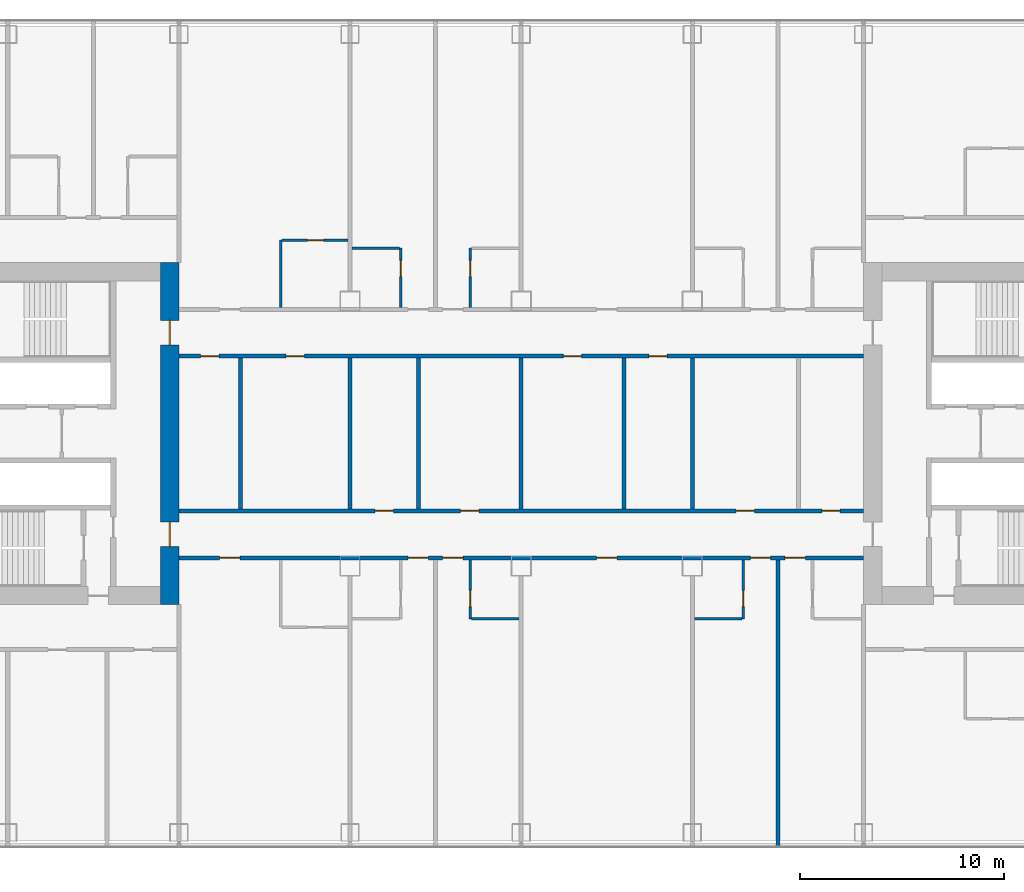
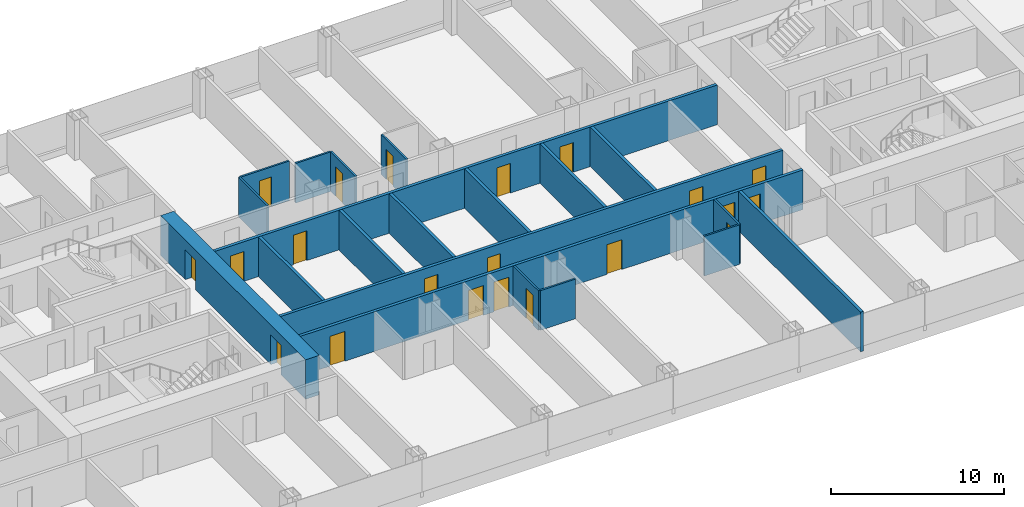
# One storey, part 15 of 28: 21 doors, 20 walls, 21 openings.
"""IFC4 building model written with IfcOpenShell, lengths in metres."""

import ifcopenshell
import ifcopenshell.guid

model = None  # the IFC model being written
_history = None  # IfcOwnerHistory: only IFC2X3 demands one
_inside = {}  # id of a spatial element -> (the spatial element, [elements in it])
_under = {}  # id of a project, library or spatial element -> (it, [spatial elements below it])
_declared = {}  # id of a project -> (the project, [libraries it declares])
_typed = {}  # id of a type object -> (the type object, [elements of that type])
_made_of = {}  # id of a material, layer set ... -> (it, [elements and type objects made of it])


def new_model(schema):
    """Start an empty IFC model of exactly this schema.

    Asked for "IFC4X3", IfcOpenShell would pick the latest addendum, in which some entities
    have other attributes; the version numbers below select the first issue.
    IFC2X3 requires an IfcOwnerHistory on every rooted entity: one is made here for all.
    """
    global model, _history
    if schema == "IFC4X3":
        model = ifcopenshell.file(schema_version=(4, 3, 0, 0))
    else:
        model = ifcopenshell.file(schema=schema)
    _inside.clear()
    _under.clear()
    _declared.clear()
    _typed.clear()
    _made_of.clear()
    _history = None
    if model.schema == "IFC2X3":
        org = make("IfcOrganization", Name="unknown")
        user = make(
            "IfcPersonAndOrganization",
            ThePerson=make("IfcPerson", FamilyName="unknown"),
            TheOrganization=org,
        )
        app = make(
            "IfcApplication",
            ApplicationDeveloper=org,
            Version="unknown",
            ApplicationFullName="unknown",
            ApplicationIdentifier="unknown",
        )
        _history = make(
            "IfcOwnerHistory",
            OwningUser=user,
            OwningApplication=app,
            ChangeAction="ADDED",
            CreationDate=0,
        )
    return model


def make(cls, **values):
    """One entity of the class cls with the attributes given. An attribute that is None is left unset."""
    return model.create_entity(
        cls, **{name: value for name, value in values.items() if value is not None}
    )


def rooted(cls, **values):
    """An entity with a GlobalId (a new one), such as an element, a storey or a relation."""
    return make(cls, GlobalId=ifcopenshell.guid.new(), OwnerHistory=_history, **values)


def si_unit(unit_type, name, prefix=None):
    """IfcSIUnit, for example si_unit("LENGTHUNIT", "METRE", prefix="MILLI")."""
    return make("IfcSIUnit", UnitType=unit_type, Prefix=prefix, Name=name)


def assignment(units):
    """IfcUnitAssignment: the units of a project."""
    return None if units is None else make("IfcUnitAssignment", Units=units)


def point(xyz):
    """IfcCartesianPoint."""
    return None if xyz is None else make("IfcCartesianPoint", Coordinates=xyz)


def direction(xyz):
    """IfcDirection."""
    return None if xyz is None else make("IfcDirection", DirectionRatios=xyz)


def frame(location, z_axis=None, x_axis=None):
    """IfcAxis2Placement3D, a coordinate frame: its origin and axes. An axis left out is left unset."""
    return make(
        "IfcAxis2Placement3D",
        Location=point(location),
        Axis=direction(z_axis),
        RefDirection=direction(x_axis),
    )


def frame_2d(location, x_axis=None):
    """IfcAxis2Placement2D, a coordinate frame in the plane: its origin and x axis."""
    return make(
        "IfcAxis2Placement2D", Location=point(location), RefDirection=direction(x_axis)
    )


def origin():
    """The frame at (0, 0, 0) with its axes left unset."""
    return frame((0.0, 0.0, 0.0))


def place(relative_to, where):
    """IfcLocalPlacement: puts the frame where relative to a parent placement (None: the world)."""
    return make(
        "IfcLocalPlacement", PlacementRelTo=relative_to, RelativePlacement=where
    )


def context(
    kind, dimensions, precision=None, world=None, true_north=None, identifier=None
):
    """IfcGeometricRepresentationContext, for example the 3D "Model" context."""
    return make(
        "IfcGeometricRepresentationContext",
        ContextIdentifier=identifier,
        ContextType=kind,
        CoordinateSpaceDimension=dimensions,
        Precision=precision,
        WorldCoordinateSystem=world,
        TrueNorth=true_north,
    )


def subcontext(parent, identifier, kind, view, scale=None):
    """IfcGeometricRepresentationSubContext, for example "Body" below "Model"."""
    return make(
        "IfcGeometricRepresentationSubContext",
        ContextIdentifier=identifier,
        ContextType=kind,
        ParentContext=parent,
        TargetScale=scale,
        TargetView=view,
    )


def project(units=None, contexts=None):
    """IfcProject with its units and contexts."""
    return rooted(
        "IfcProject",
        Name="project",
        RepresentationContexts=contexts,
        UnitsInContext=assignment(units),
    )


def spatial(cls, under=None, at=None, **own):
    """A site, building, storey or space (cls), placed at a placement, below another one or the project."""
    s = rooted(cls, ObjectPlacement=at, **own)
    if under is not None:
        _under.setdefault(under.id(), (under, []))[1].append(s)
    return s


def profile(cls, at=None, kind="AREA", **sizes):
    """A parametric profile (cls). Its sizes go by their IFC names, for example OverallWidth=200.0."""
    return make(cls, ProfileType=kind, Position=at, **sizes)


def rectangle(**sizes):
    """IfcRectangleProfileDef."""
    return profile("IfcRectangleProfileDef", **sizes)


def extrude(swept, where, along, depth):
    """IfcExtrudedAreaSolid: the profile swept, set in the frame where, extruded along a direction by depth."""
    return make(
        "IfcExtrudedAreaSolid",
        SweptArea=swept,
        Position=where,
        ExtrudedDirection=direction(along),
        Depth=depth,
    )


def shape(context_of_items, identifier, shape_type, items):
    """IfcShapeRepresentation: the items that make up one representation, for example the "Body"."""
    return make(
        "IfcShapeRepresentation",
        ContextOfItems=context_of_items,
        RepresentationIdentifier=identifier,
        RepresentationType=shape_type,
        Items=items,
    )


def material(Name=None, Category=None):
    """IfcMaterial."""
    return make("IfcMaterial", Name=Name, Category=Category)


def layer(
    of_material, thickness, ventilated=None, Name=None, Category=None, Priority=None
):
    """IfcMaterialLayer: one layer of a wall or slab, of a material (None: an air gap)."""
    return make(
        "IfcMaterialLayer",
        Material=of_material,
        LayerThickness=thickness,
        IsVentilated=ventilated,
        Name=Name,
        Category=Category,
        Priority=Priority,
    )


def layer_set(layers, Name=None):
    """IfcMaterialLayerSet."""
    return make("IfcMaterialLayerSet", MaterialLayers=layers, LayerSetName=Name)


def made_of(thing, what):
    """Note that an element or type object is made of a material, layer set ...; save() writes the relation."""
    if what is not None:
        _made_of.setdefault(what.id(), (what, []))[1].append(thing)
    return thing


def type_object(cls, material=None, **own):
    """A type object (cls), such as IfcWallType, which elements share."""
    return made_of(rooted(cls, **own), material)


def element(
    cls,
    number,
    at=None,
    inside=None,
    cuts=None,
    type_object=None,
    material=None,
    context=None,
    identifier="Body",
    shape_type=None,
    held_by="IfcProductDefinitionShape",
    body=None,
    shapes=None,
    **own,
):
    """One element of the class cls, such as IfcWall. Its Tag is "e" and its number.

    at: its placement. inside: the storey or other place that contains it. cuts: it is an
    opening in that element (IfcRelVoidsElement). A single representation is given by context,
    identifier, shape_type and body (its items); several are given by shapes. held_by: the class
    of the entity that holds the representations. save() writes the other relations.
    """
    e = rooted(cls, Tag="e%d" % number, ObjectPlacement=at, **own)
    if body is not None:
        shapes = [shape(context, identifier, shape_type, body)]
    if shapes is not None:
        e.Representation = make(held_by, Representations=shapes)
    if inside is not None:
        _inside.setdefault(inside.id(), (inside, []))[1].append(e)
    if cuts is not None:
        rooted(
            "IfcRelVoidsElement", RelatingBuildingElement=cuts, RelatedOpeningElement=e
        )
    if type_object is not None:
        _typed.setdefault(type_object.id(), (type_object, []))[1].append(e)
    return made_of(e, material)


def fill(opening, filler):
    """IfcRelFillsElement: the door or window that sits in an opening."""
    return rooted(
        "IfcRelFillsElement",
        RelatingOpeningElement=opening,
        RelatedBuildingElement=filler,
    )


def aggregate(whole, parts):
    """IfcRelAggregates: a whole, such as a stair, and the parts it consists of."""
    return rooted("IfcRelAggregates", RelatingObject=whole, RelatedObjects=parts)


def save(model, path):
    """Write the relations noted so far, then the file.

    IfcRelAggregates (storeys below a building ...), IfcRelContainedInSpatialStructure (elements
    in a storey), IfcRelDefinesByType, IfcRelAssociatesMaterial and IfcRelDeclares: one each for
    every whole, place, type object, material and project.
    """
    for whole, parts in _under.values():
        aggregate(whole, parts)
    for where, things in _inside.values():
        rooted(
            "IfcRelContainedInSpatialStructure",
            RelatedElements=things,
            RelatingStructure=where,
        )
    for kind, things in _typed.values():
        rooted("IfcRelDefinesByType", RelatedObjects=things, RelatingType=kind)
    for what, things in _made_of.values():
        rooted("IfcRelAssociatesMaterial", RelatedObjects=things, RelatingMaterial=what)
    for by, libraries in _declared.values():
        rooted("IfcRelDeclares", RelatingContext=by, RelatedDefinitions=libraries)
    model.write(path)


model = new_model("IFC4")

# Units and contexts
model_context = context("Model", 3, precision=1e-05, world=origin(), true_north=direction((0.0, 1.0)))
body_context = subcontext(model_context, "Body", "Model", "MODEL_VIEW")
ifc_project = project(units=[si_unit("LENGTHUNIT", "METRE"), si_unit("AREAUNIT", "SQUARE_METRE"), si_unit("VOLUMEUNIT", "CUBIC_METRE"), si_unit("PLANEANGLEUNIT", "RADIAN"), si_unit("MASSUNIT", "GRAM", prefix="KILO")], contexts=[model_context])

# Site, building, storey
site_placement = place(None, origin())
site = spatial("IfcSite", under=ifc_project, at=site_placement, CompositionType="ELEMENT")
building_placement = place(site_placement, origin())
building = spatial("IfcBuilding", under=site, at=building_placement, Name="Hakoniwa Tower and Hamabe Station Hall", CompositionType="ELEMENT")
storey_placement = place(building_placement, frame((0.0, 0.0, 58.199951171875)))
storey = spatial("IfcBuildingStorey", under=building, at=storey_placement, Name="L16", CompositionType="ELEMENT", Elevation=58.199951171875)

# Walls
ifc_material_1 = material(Name="Gypsum board partition", Category="gypsum")
ifc_layer_1 = layer(ifc_material_1, 0.125)
ifc_layer_set_1 = layer_set([ifc_layer_1], Name="Bathroom Partition 125")
wall_type_1 = type_object("IfcWallType", Name="Bathroom Partition 125", PredefinedType="PARTITIONING", material=ifc_layer_set_1)
for number, where, z_axis, x_axis, name in (
    (1, (-2.4375, -9.10009765625, 0.0), (0.0, 0.0, 1.0), (1.0, 0.0, 0.0), "GW-L16-011"),
    (2, (8.5, -9.10009765625, 0.0), (0.0, 0.0, 1.0), (1.0, 0.0, 0.0), "GW-L16-012"),
):
    element("IfcWall", number, at=place(storey_placement, frame(where, z_axis=z_axis, x_axis=x_axis)), inside=storey, type_object=wall_type_1, Name=name, PredefinedType="PARTITIONING", context=body_context, shape_type="SweptSolid", body=[
        extrude(rectangle(XDim=2.33740234375, YDim=0.125, at=frame_2d((1.168701171875, 0.0))), origin(), (0.0, 0.0, 1.0), 2.800048828125),
    ])
wall_1_placement = place(storey_placement, frame((-8.300048828125, 9.10009765625, 0.0), z_axis=(0.0, 0.0, 1.0), x_axis=(1.0, 0.0, 0.0)))
element("IfcWall", 3, at=wall_1_placement, inside=storey, type_object=wall_type_1, Name="GW-L16-031", PredefinedType="PARTITIONING", context=body_context, shape_type="SweptSolid", body=[
    extrude(rectangle(XDim=2.337646484375, YDim=0.125, at=frame_2d((1.1689453125, 0.0))), origin(), (0.0, 0.0, 1.0), 2.800048828125),
])

# Wall, opening, door
wall_2_placement = place(storey_placement, frame((-11.737548828125, 9.5, 0.0), z_axis=(0.0, 0.0, 1.0), x_axis=(1.0, 0.0, 0.0)))
wall_2 = element("IfcWall", 4, at=wall_2_placement, inside=storey, type_object=wall_type_1, Name="GW-L16-035", PredefinedType="PARTITIONING", context=body_context, shape_type="SweptSolid", body=[
    extrude(rectangle(XDim=3.237548828125, YDim=0.125, at=frame_2d((1.61865234375, 0.0))), origin(), (0.0, 0.0, 1.0), 2.800048828125),
])
opening_1_placement = place(wall_2_placement, frame((1.237548828125, 0.0, 0.0)))
opening_1 = element("IfcOpeningElement", 5, at=opening_1_placement, cuts=wall_2, Name="Opening GD-G1C2-50", PredefinedType="OPENING", context=body_context, shape_type="SweptSolid", body=[
    extrude(rectangle(XDim=0.800048828125, YDim=2.10009765625, at=frame_2d((0.39990234375, 1.050048828125))), frame((0.0, 0.072509765625, 0.0), z_axis=(0.0, -1.0, 0.0), x_axis=(1.0, 0.0, 0.0)), (0.0, 0.0, 1.0), 0.14501953125),
])
ifc_material_2 = material(Name="Timber door leaf", Category="wood")
door_type_1 = type_object("IfcDoorType", Name="Bathroom Door 800", OperationType="SINGLE_SWING_LEFT", PredefinedType="DOOR", material=ifc_material_2)
door_1_placement = place(opening_1_placement, origin())
door_1 = element("IfcDoor", 6, at=door_1_placement, inside=storey, type_object=door_type_1, Name="Door GD-G1C2-50", OperationType="SINGLE_SWING_LEFT", OverallHeight=2.10009765625, OverallWidth=0.800048828125, PredefinedType="DOOR", context=body_context, shape_type="SweptSolid", body=[
    extrude(rectangle(XDim=0.800048828125, YDim=2.10009765625, at=frame_2d((0.39990234375, 1.050048828125))), frame((0.0, 0.02490234375, 0.0), z_axis=(0.0, -1.0, 0.0), x_axis=(1.0, 0.0, 0.0)), (0.0, 0.0, 1.0), 0.050048828125),
])
fill(opening_1, door_1)

# Wall
wall_3_placement = place(storey_placement, frame((-11.800048828125, 6.199951171875, 0.0), z_axis=(0.0, 0.0, 1.0), x_axis=(0.0, 1.0, 0.0)))
element("IfcWall", 7, at=wall_3_placement, inside=storey, type_object=wall_type_1, Name="GW-L16-072", PredefinedType="PARTITIONING", context=body_context, shape_type="SweptSolid", body=[
    extrude(rectangle(XDim=3.300048828125, YDim=0.125, at=frame_2d((1.64990234375, 0.0))), origin(), (0.0, 0.0, 1.0), 2.800048828125),
])

# Wall, opening, door
wall_4_placement = place(storey_placement, frame((-5.89990234375, 6.199951171875, 0.0), z_axis=(0.0, 0.0, 1.0), x_axis=(0.0, 1.0, 0.0)))
wall_4 = element("IfcWall", 8, at=wall_4_placement, inside=storey, type_object=wall_type_1, Name="GW-L16-077", PredefinedType="PARTITIONING", context=body_context, shape_type="SweptSolid", body=[
    extrude(rectangle(XDim=2.900146484375, YDim=0.125, at=frame_2d((1.4501953125, 0.0))), origin(), (0.0, 0.0, 1.0), 2.800048828125),
])
opening_2_placement = place(wall_4_placement, frame((1.5, 0.0, 0.0)))
opening_2 = element("IfcOpeningElement", 9, at=opening_2_placement, cuts=wall_4, Name="Opening GD-G1C2-70", PredefinedType="OPENING", context=body_context, shape_type="SweptSolid", body=[
    extrude(rectangle(XDim=0.800048828125, YDim=2.10009765625, at=frame_2d((0.39990234375, 1.050048828125))), frame((0.0, 0.072509765625, 0.0), z_axis=(0.0, -1.0, 0.0), x_axis=(1.0, 0.0, 0.0)), (0.0, 0.0, 1.0), 0.14501953125),
])
door_2_placement = place(opening_2_placement, origin())
door_2 = element("IfcDoor", 10, at=door_2_placement, inside=storey, type_object=door_type_1, Name="Door GD-G1C2-70", OperationType="SINGLE_SWING_LEFT", OverallHeight=2.10009765625, OverallWidth=0.800048828125, PredefinedType="DOOR", context=body_context, shape_type="SweptSolid", body=[
    extrude(rectangle(XDim=0.800048828125, YDim=2.10009765625, at=frame_2d((0.39990234375, 1.050048828125))), frame((0.0, 0.02490234375, 0.0), z_axis=(0.0, -1.0, 0.0), x_axis=(1.0, 0.0, 0.0)), (0.0, 0.0, 1.0), 0.050048828125),
])
fill(opening_2, door_2)

wall_5_placement = place(storey_placement, frame((-2.5, -9.10009765625, 0.0), z_axis=(0.0, 0.0, 1.0), x_axis=(0.0, 1.0, 0.0)))
wall_5 = element("IfcWall", 11, at=wall_5_placement, inside=storey, type_object=wall_type_1, Name="GW-L16-081", PredefinedType="PARTITIONING", context=body_context, shape_type="SweptSolid", body=[
    extrude(rectangle(XDim=2.900146484375, YDim=0.125, at=frame_2d((1.4501953125, 0.0))), origin(), (0.0, 0.0, 1.0), 2.800048828125),
])
opening_3_placement = place(wall_5_placement, frame((0.60009765625, 0.0, 0.0)))
opening_3 = element("IfcOpeningElement", 12, at=opening_3_placement, cuts=wall_5, Name="Opening GD-G1C2-71", PredefinedType="OPENING", context=body_context, shape_type="SweptSolid", body=[
    extrude(rectangle(XDim=0.800048828125, YDim=2.10009765625, at=frame_2d((0.39990234375, 1.050048828125))), frame((0.0, 0.072509765625, 0.0), z_axis=(0.0, -1.0, 0.0), x_axis=(1.0, 0.0, 0.0)), (0.0, 0.0, 1.0), 0.14501953125),
])
door_3_placement = place(opening_3_placement, origin())
door_3 = element("IfcDoor", 13, at=door_3_placement, inside=storey, type_object=door_type_1, Name="Door GD-G1C2-71", OperationType="SINGLE_SWING_LEFT", OverallHeight=2.10009765625, OverallWidth=0.800048828125, PredefinedType="DOOR", context=body_context, shape_type="SweptSolid", body=[
    extrude(rectangle(XDim=0.800048828125, YDim=2.10009765625, at=frame_2d((0.39990234375, 1.050048828125))), frame((0.0, 0.02490234375, 0.0), z_axis=(0.0, -1.0, 0.0), x_axis=(1.0, 0.0, 0.0)), (0.0, 0.0, 1.0), 0.050048828125),
])
fill(opening_3, door_3)

wall_6_placement = place(storey_placement, frame((-2.5, 6.199951171875, 0.0), z_axis=(0.0, 0.0, 1.0), x_axis=(0.0, 1.0, 0.0)))
wall_6 = element("IfcWall", 14, at=wall_6_placement, inside=storey, type_object=wall_type_1, Name="GW-L16-082", PredefinedType="PARTITIONING", context=body_context, shape_type="SweptSolid", body=[
    extrude(rectangle(XDim=2.900146484375, YDim=0.125, at=frame_2d((1.4501953125, 0.0))), origin(), (0.0, 0.0, 1.0), 2.800048828125),
])
opening_4_placement = place(wall_6_placement, frame((1.5, 0.0, 0.0)))
opening_4 = element("IfcOpeningElement", 15, at=opening_4_placement, cuts=wall_6, Name="Opening GD-G1C2-72", PredefinedType="OPENING", context=body_context, shape_type="SweptSolid", body=[
    extrude(rectangle(XDim=0.800048828125, YDim=2.10009765625, at=frame_2d((0.39990234375, 1.050048828125))), frame((0.0, 0.072509765625, 0.0), z_axis=(0.0, -1.0, 0.0), x_axis=(1.0, 0.0, 0.0)), (0.0, 0.0, 1.0), 0.14501953125),
])
door_4_placement = place(opening_4_placement, origin())
door_4 = element("IfcDoor", 16, at=door_4_placement, inside=storey, type_object=door_type_1, Name="Door GD-G1C2-72", OperationType="SINGLE_SWING_RIGHT", OverallHeight=2.10009765625, OverallWidth=0.800048828125, PredefinedType="DOOR", context=body_context, shape_type="SweptSolid", body=[
    extrude(rectangle(XDim=0.800048828125, YDim=2.10009765625, at=frame_2d((0.39990234375, 1.050048828125))), frame((0.0, 0.02490234375, 0.0), z_axis=(0.0, -1.0, 0.0), x_axis=(1.0, 0.0, 0.0)), (0.0, 0.0, 1.0), 0.050048828125),
])
fill(opening_4, door_4)

wall_7_placement = place(storey_placement, frame((10.89990234375, -9.10009765625, 0.0), z_axis=(0.0, 0.0, 1.0), x_axis=(0.0, 1.0, 0.0)))
wall_7 = element("IfcWall", 17, at=wall_7_placement, inside=storey, type_object=wall_type_1, Name="GW-L16-090", PredefinedType="PARTITIONING", context=body_context, shape_type="SweptSolid", body=[
    extrude(rectangle(XDim=2.900146484375, YDim=0.125, at=frame_2d((1.4501953125, 0.0))), origin(), (0.0, 0.0, 1.0), 2.800048828125),
])
opening_5_placement = place(wall_7_placement, frame((0.60009765625, 0.0, 0.0)))
opening_5 = element("IfcOpeningElement", 18, at=opening_5_placement, cuts=wall_7, Name="Opening GD-G1C2-73", PredefinedType="OPENING", context=body_context, shape_type="SweptSolid", body=[
    extrude(rectangle(XDim=0.800048828125, YDim=2.10009765625, at=frame_2d((0.39990234375, 1.050048828125))), frame((0.0, 0.072509765625, 0.0), z_axis=(0.0, -1.0, 0.0), x_axis=(1.0, 0.0, 0.0)), (0.0, 0.0, 1.0), 0.14501953125),
])
door_5_placement = place(opening_5_placement, origin())
door_5 = element("IfcDoor", 19, at=door_5_placement, inside=storey, type_object=door_type_1, Name="Door GD-G1C2-73", OperationType="SINGLE_SWING_RIGHT", OverallHeight=2.10009765625, OverallWidth=0.800048828125, PredefinedType="DOOR", context=body_context, shape_type="SweptSolid", body=[
    extrude(rectangle(XDim=0.800048828125, YDim=2.10009765625, at=frame_2d((0.39990234375, 1.050048828125))), frame((0.0, 0.02490234375, 0.0), z_axis=(0.0, -1.0, 0.0), x_axis=(1.0, 0.0, 0.0)), (0.0, 0.0, 1.0), 0.050048828125),
])
fill(opening_5, door_5)

# Wall, openings, doors
ifc_material_3 = material(Name="Concrete C80", Category="concrete")
ifc_layer_2 = layer(ifc_material_3, 0.89990234375)
ifc_layer_set_2 = layer_set([ifc_layer_2], Name="CORE WALL 900 C80")
wall_type_2 = type_object("IfcWallType", Name="CORE WALL 900 C80", PredefinedType="SHEAR", material=ifc_layer_set_2)
wall_8_placement = place(storey_placement, frame((-17.25, -8.39990234375, 0.0), z_axis=(0.0, 0.0, 1.0), x_axis=(0.0, 1.0, 0.0)))
wall_8 = element("IfcWall", 20, at=wall_8_placement, inside=storey, type_object=wall_type_2, Name="Core wall INNER west", PredefinedType="SHEAR", context=body_context, shape_type="SweptSolid", body=[
    extrude(rectangle(XDim=16.7998046875, YDim=0.89990234375, at=frame_2d((8.39990234375, 0.0))), origin(), (0.0, 0.0, 1.0), 2.800048828125),
])
opening_6_placement = place(wall_8_placement, frame((12.75, 0.0, 0.0)))
opening_6 = element("IfcOpeningElement", 21, at=opening_6_placement, cuts=wall_8, Name="Opening CD-W-IN1-12", PredefinedType="OPENING", context=body_context, shape_type="SweptSolid", body=[
    extrude(rectangle(XDim=1.199951171875, YDim=2.10009765625, at=frame_2d((0.60009765625, 1.050048828125))), frame((0.0, 0.4599609375, 0.0), z_axis=(0.0, -1.0, 0.0), x_axis=(1.0, 0.0, 0.0)), (0.0, 0.0, 1.0), 0.919921875),
])
opening_7_placement = place(wall_8_placement, frame((2.85009765625, 0.0, 0.0)))
opening_7 = element("IfcOpeningElement", 22, at=opening_7_placement, cuts=wall_8, Name="Opening CD-W-IN2-12", PredefinedType="OPENING", context=body_context, shape_type="SweptSolid", body=[
    extrude(rectangle(XDim=1.199951171875, YDim=2.10009765625, at=frame_2d((0.60009765625, 1.050048828125))), frame((0.0, 0.4599609375, 0.0), z_axis=(0.0, -1.0, 0.0), x_axis=(1.0, 0.0, 0.0)), (0.0, 0.0, 1.0), 0.919921875),
])
ifc_material_4 = material(Name="Steel fire door", Category="steel")
door_type_2 = type_object("IfcDoorType", Name="CORE DOOR 1200 FD60", OperationType="DOUBLE_DOOR_SINGLE_SWING", PredefinedType="DOOR", material=ifc_material_4)
door_6_placement = place(opening_6_placement, origin())
door_6 = element("IfcDoor", 23, at=door_6_placement, inside=storey, type_object=door_type_2, Name="Lift lobby door", OperationType="DOUBLE_DOOR_SINGLE_SWING", OverallHeight=2.10009765625, OverallWidth=1.199951171875, PredefinedType="DOOR", context=body_context, shape_type="SweptSolid", body=[
    extrude(rectangle(XDim=1.199951171875, YDim=2.10009765625, at=frame_2d((0.60009765625, 1.050048828125))), frame((0.0, 0.02490234375, 0.0), z_axis=(0.0, -1.0, 0.0), x_axis=(1.0, 0.0, 0.0)), (0.0, 0.0, 1.0), 0.050048828125),
])
fill(opening_6, door_6)
door_7_placement = place(opening_7_placement, origin())
door_7 = element("IfcDoor", 24, at=door_7_placement, inside=storey, type_object=door_type_2, Name="Lift lobby door", OperationType="DOUBLE_DOOR_SINGLE_SWING", OverallHeight=2.10009765625, OverallWidth=1.199951171875, PredefinedType="DOOR", context=body_context, shape_type="SweptSolid", body=[
    extrude(rectangle(XDim=1.199951171875, YDim=2.10009765625, at=frame_2d((0.60009765625, 1.050048828125))), frame((0.0, 0.02490234375, 0.0), z_axis=(0.0, -1.0, 0.0), x_axis=(1.0, 0.0, 0.0)), (0.0, 0.0, 1.0), 0.050048828125),
])
fill(opening_7, door_7)

ifc_material_5 = material(Name="Fire-rated gypsum board partition", Category="gypsum")
ifc_layer_3 = layer(ifc_material_5, 0.199951171875)
ifc_layer_set_3 = layer_set([ifc_layer_3], Name="Corridor Wall 200")
wall_type_3 = type_object("IfcWallType", Name="Corridor Wall 200", PredefinedType="PARTITIONING", material=ifc_layer_set_3)
wall_9_placement = place(storey_placement, frame((-16.800048828125, -6.10009765625, 0.0), z_axis=(0.0, 0.0, 1.0), x_axis=(1.0, 0.0, 0.0)))
wall_9 = element("IfcWall", 25, at=wall_9_placement, inside=storey, type_object=wall_type_3, Name="GW-L16-016", PredefinedType="PARTITIONING", context=body_context, shape_type="SweptSolid", body=[
    extrude(rectangle(XDim=33.60009765625, YDim=0.199951171875, at=frame_2d((16.800048828125, 0.0))), origin(), (0.0, 0.0, 1.0), 2.800048828125),
])
opening_8_placement = place(wall_9_placement, frame((2.0, 0.0, 0.0)))
opening_8 = element("IfcOpeningElement", 26, at=opening_8_placement, cuts=wall_9, Name="Opening GD-G1C2-19", PredefinedType="OPENING", context=body_context, shape_type="SweptSolid", body=[
    extrude(rectangle(XDim=1.0, YDim=2.10009765625, at=frame_2d((0.5, 1.050048828125))), frame((0.0, 0.10986328125, 0.0), z_axis=(0.0, -1.0, 0.0), x_axis=(1.0, 0.0, 0.0)), (0.0, 0.0, 1.0), 0.219970703125),
])
opening_9_placement = place(wall_9_placement, frame((11.25, 0.0, 0.0)))
opening_9 = element("IfcOpeningElement", 27, at=opening_9_placement, cuts=wall_9, Name="Opening GD-G1C2-20", PredefinedType="OPENING", context=body_context, shape_type="SweptSolid", body=[
    extrude(rectangle(XDim=1.0, YDim=2.10009765625, at=frame_2d((0.5, 1.050048828125))), frame((0.0, 0.10986328125, 0.0), z_axis=(0.0, -1.0, 0.0), x_axis=(1.0, 0.0, 0.0)), (0.0, 0.0, 1.0), 0.219970703125),
])
opening_10_placement = place(wall_9_placement, frame((12.949951171875, 0.0, 0.0)))
opening_10 = element("IfcOpeningElement", 28, at=opening_10_placement, cuts=wall_9, Name="Opening GD-G1C2-21", PredefinedType="OPENING", context=body_context, shape_type="SweptSolid", body=[
    extrude(rectangle(XDim=1.0, YDim=2.10009765625, at=frame_2d((0.5, 1.050048828125))), frame((0.0, 0.10986328125, 0.0), z_axis=(0.0, -1.0, 0.0), x_axis=(1.0, 0.0, 0.0)), (0.0, 0.0, 1.0), 0.219970703125),
])
opening_11_placement = place(wall_9_placement, frame((20.5, 0.0, 0.0)))
opening_11 = element("IfcOpeningElement", 29, at=opening_11_placement, cuts=wall_9, Name="Opening GD-G1C2-22", PredefinedType="OPENING", context=body_context, shape_type="SweptSolid", body=[
    extrude(rectangle(XDim=1.0, YDim=2.10009765625, at=frame_2d((0.5, 1.050048828125))), frame((0.0, 0.10986328125, 0.0), z_axis=(0.0, -1.0, 0.0), x_axis=(1.0, 0.0, 0.0)), (0.0, 0.0, 1.0), 0.219970703125),
])
opening_12_placement = place(wall_9_placement, frame((28.050048828125, 0.0, 0.0)))
opening_12 = element("IfcOpeningElement", 30, at=opening_12_placement, cuts=wall_9, Name="Opening GD-G1C2-23", PredefinedType="OPENING", context=body_context, shape_type="SweptSolid", body=[
    extrude(rectangle(XDim=1.0, YDim=2.10009765625, at=frame_2d((0.5, 1.050048828125))), frame((0.0, 0.10986328125, 0.0), z_axis=(0.0, -1.0, 0.0), x_axis=(1.0, 0.0, 0.0)), (0.0, 0.0, 1.0), 0.219970703125),
])
opening_13_placement = place(wall_9_placement, frame((29.75, 0.0, 0.0)))
opening_13 = element("IfcOpeningElement", 31, at=opening_13_placement, cuts=wall_9, Name="Opening GD-G1C2-24", PredefinedType="OPENING", context=body_context, shape_type="SweptSolid", body=[
    extrude(rectangle(XDim=1.0, YDim=2.10009765625, at=frame_2d((0.5, 1.050048828125))), frame((0.0, 0.10986328125, 0.0), z_axis=(0.0, -1.0, 0.0), x_axis=(1.0, 0.0, 0.0)), (0.0, 0.0, 1.0), 0.219970703125),
])
ifc_material_6 = material(Name="Timber door leaf", Category="wood")
door_type_3 = type_object("IfcDoorType", Name="Guest Entrance Door 1000", OperationType="SINGLE_SWING_LEFT", PredefinedType="DOOR", material=ifc_material_6)
door_8_placement = place(opening_8_placement, origin())
door_8 = element("IfcDoor", 32, at=door_8_placement, inside=storey, type_object=door_type_3, Name="Door GD-G1C2-19", OperationType="SINGLE_SWING_RIGHT", OverallHeight=2.10009765625, OverallWidth=1.0, PredefinedType="DOOR", context=body_context, shape_type="SweptSolid", body=[
    extrude(rectangle(XDim=1.0, YDim=2.10009765625, at=frame_2d((0.5, 1.050048828125))), frame((0.0, 0.02490234375, 0.0), z_axis=(0.0, -1.0, 0.0), x_axis=(1.0, 0.0, 0.0)), (0.0, 0.0, 1.0), 0.050048828125),
])
fill(opening_8, door_8)
door_9_placement = place(opening_9_placement, origin())
door_9 = element("IfcDoor", 33, at=door_9_placement, inside=storey, type_object=door_type_3, Name="Door GD-G1C2-20", OperationType="SINGLE_SWING_RIGHT", OverallHeight=2.10009765625, OverallWidth=1.0, PredefinedType="DOOR", context=body_context, shape_type="SweptSolid", body=[
    extrude(rectangle(XDim=1.0, YDim=2.10009765625, at=frame_2d((0.5, 1.050048828125))), frame((0.0, 0.02490234375, 0.0), z_axis=(0.0, -1.0, 0.0), x_axis=(1.0, 0.0, 0.0)), (0.0, 0.0, 1.0), 0.050048828125),
])
fill(opening_9, door_9)
door_10_placement = place(opening_10_placement, origin())
door_10 = element("IfcDoor", 34, at=door_10_placement, inside=storey, type_object=door_type_3, Name="Door GD-G1C2-21", OperationType="SINGLE_SWING_LEFT", OverallHeight=2.10009765625, OverallWidth=1.0, PredefinedType="DOOR", context=body_context, shape_type="SweptSolid", body=[
    extrude(rectangle(XDim=1.0, YDim=2.10009765625, at=frame_2d((0.5, 1.050048828125))), frame((0.0, 0.02490234375, 0.0), z_axis=(0.0, -1.0, 0.0), x_axis=(1.0, 0.0, 0.0)), (0.0, 0.0, 1.0), 0.050048828125),
])
fill(opening_10, door_10)
door_11_placement = place(opening_11_placement, origin())
door_11 = element("IfcDoor", 35, at=door_11_placement, inside=storey, type_object=door_type_3, Name="Door GD-G1C2-22", OperationType="SINGLE_SWING_RIGHT", OverallHeight=2.10009765625, OverallWidth=1.0, PredefinedType="DOOR", context=body_context, shape_type="SweptSolid", body=[
    extrude(rectangle(XDim=1.0, YDim=2.10009765625, at=frame_2d((0.5, 1.050048828125))), frame((0.0, 0.02490234375, 0.0), z_axis=(0.0, -1.0, 0.0), x_axis=(1.0, 0.0, 0.0)), (0.0, 0.0, 1.0), 0.050048828125),
])
fill(opening_11, door_11)
door_12_placement = place(opening_12_placement, origin())
door_12 = element("IfcDoor", 36, at=door_12_placement, inside=storey, type_object=door_type_3, Name="Door GD-G1C2-23", OperationType="SINGLE_SWING_LEFT", OverallHeight=2.10009765625, OverallWidth=1.0, PredefinedType="DOOR", context=body_context, shape_type="SweptSolid", body=[
    extrude(rectangle(XDim=1.0, YDim=2.10009765625, at=frame_2d((0.5, 1.050048828125))), frame((0.0, 0.02490234375, 0.0), z_axis=(0.0, -1.0, 0.0), x_axis=(1.0, 0.0, 0.0)), (0.0, 0.0, 1.0), 0.050048828125),
])
fill(opening_12, door_12)
door_13_placement = place(opening_13_placement, origin())
door_13 = element("IfcDoor", 37, at=door_13_placement, inside=storey, type_object=door_type_3, Name="Door GD-G1C2-24", OperationType="SINGLE_SWING_RIGHT", OverallHeight=2.10009765625, OverallWidth=1.0, PredefinedType="DOOR", context=body_context, shape_type="SweptSolid", body=[
    extrude(rectangle(XDim=1.0, YDim=2.10009765625, at=frame_2d((0.5, 1.050048828125))), frame((0.0, 0.02490234375, 0.0), z_axis=(0.0, -1.0, 0.0), x_axis=(1.0, 0.0, 0.0)), (0.0, 0.0, 1.0), 0.050048828125),
])
fill(opening_13, door_13)

wall_10_placement = place(storey_placement, frame((-16.800048828125, -3.800048828125, 0.0), z_axis=(0.0, 0.0, 1.0), x_axis=(1.0, 0.0, 0.0)))
wall_10 = element("IfcWall", 38, at=wall_10_placement, inside=storey, type_object=wall_type_3, Name="GW-L16-021", PredefinedType="PARTITIONING", context=body_context, shape_type="SweptSolid", body=[
    extrude(rectangle(XDim=33.60009765625, YDim=0.199951171875, at=frame_2d((16.800048828125, 0.0))), origin(), (0.0, 0.0, 1.0), 2.800048828125),
])
opening_14_placement = place(wall_10_placement, frame((9.6298828125, 0.0, 0.0)))
opening_14 = element("IfcOpeningElement", 39, at=opening_14_placement, cuts=wall_10, Name="Opening GD-G1C2-29", PredefinedType="OPENING", context=body_context, shape_type="SweptSolid", body=[
    extrude(rectangle(XDim=0.89990234375, YDim=2.10009765625, at=frame_2d((0.449951171875, 1.050048828125))), frame((0.0, 0.10986328125, 0.0), z_axis=(0.0, -1.0, 0.0), x_axis=(1.0, 0.0, 0.0)), (0.0, 0.0, 1.0), 0.219970703125),
])
opening_15_placement = place(wall_10_placement, frame((13.830078125, 0.0, 0.0)))
opening_15 = element("IfcOpeningElement", 40, at=opening_15_placement, cuts=wall_10, Name="Opening GD-G1C2-30", PredefinedType="OPENING", context=body_context, shape_type="SweptSolid", body=[
    extrude(rectangle(XDim=0.89990234375, YDim=2.10009765625, at=frame_2d((0.449951171875, 1.050048828125))), frame((0.0, 0.10986328125, 0.0), z_axis=(0.0, -1.0, 0.0), x_axis=(1.0, 0.0, 0.0)), (0.0, 0.0, 1.0), 0.219970703125),
])
opening_16_placement = place(wall_10_placement, frame((27.35498046875, 0.0, 0.0)))
opening_16 = element("IfcOpeningElement", 41, at=opening_16_placement, cuts=wall_10, Name="Opening GD-G1C2-31", PredefinedType="OPENING", context=body_context, shape_type="SweptSolid", body=[
    extrude(rectangle(XDim=0.89990234375, YDim=2.10009765625, at=frame_2d((0.449951171875, 1.050048828125))), frame((0.0, 0.10986328125, 0.0), z_axis=(0.0, -1.0, 0.0), x_axis=(1.0, 0.0, 0.0)), (0.0, 0.0, 1.0), 0.219970703125),
])
opening_17_placement = place(wall_10_placement, frame((31.554931640625, 0.0, 0.0)))
opening_17 = element("IfcOpeningElement", 42, at=opening_17_placement, cuts=wall_10, Name="Opening GD-G1C2-32", PredefinedType="OPENING", context=body_context, shape_type="SweptSolid", body=[
    extrude(rectangle(XDim=0.89990234375, YDim=2.10009765625, at=frame_2d((0.449951171875, 1.050048828125))), frame((0.0, 0.10986328125, 0.0), z_axis=(0.0, -1.0, 0.0), x_axis=(1.0, 0.0, 0.0)), (0.0, 0.0, 1.0), 0.219970703125),
])
ifc_material_7 = material(Name="Timber door leaf", Category="wood")
door_type_4 = type_object("IfcDoorType", Name="Service Door 900", OperationType="SINGLE_SWING_LEFT", PredefinedType="DOOR", material=ifc_material_7)
door_14_placement = place(opening_14_placement, origin())
door_14 = element("IfcDoor", 43, at=door_14_placement, inside=storey, type_object=door_type_4, Name="Door GD-G1C2-29", OperationType="SINGLE_SWING_RIGHT", OverallHeight=2.10009765625, OverallWidth=0.89990234375, PredefinedType="DOOR", context=body_context, shape_type="SweptSolid", body=[
    extrude(rectangle(XDim=0.89990234375, YDim=2.10009765625, at=frame_2d((0.449951171875, 1.050048828125))), frame((0.0, 0.02490234375, 0.0), z_axis=(0.0, -1.0, 0.0), x_axis=(1.0, 0.0, 0.0)), (0.0, 0.0, 1.0), 0.050048828125),
])
fill(opening_14, door_14)
door_15_placement = place(opening_15_placement, origin())
door_15 = element("IfcDoor", 44, at=door_15_placement, inside=storey, type_object=door_type_4, Name="Door GD-G1C2-30", OperationType="SINGLE_SWING_RIGHT", OverallHeight=2.10009765625, OverallWidth=0.89990234375, PredefinedType="DOOR", context=body_context, shape_type="SweptSolid", body=[
    extrude(rectangle(XDim=0.89990234375, YDim=2.10009765625, at=frame_2d((0.449951171875, 1.050048828125))), frame((0.0, 0.02490234375, 0.0), z_axis=(0.0, -1.0, 0.0), x_axis=(1.0, 0.0, 0.0)), (0.0, 0.0, 1.0), 0.050048828125),
])
fill(opening_15, door_15)
door_16_placement = place(opening_16_placement, origin())
door_16 = element("IfcDoor", 45, at=door_16_placement, inside=storey, type_object=door_type_4, Name="Door GD-G1C2-31", OperationType="SINGLE_SWING_LEFT", OverallHeight=2.10009765625, OverallWidth=0.89990234375, PredefinedType="DOOR", context=body_context, shape_type="SweptSolid", body=[
    extrude(rectangle(XDim=0.89990234375, YDim=2.10009765625, at=frame_2d((0.449951171875, 1.050048828125))), frame((0.0, 0.02490234375, 0.0), z_axis=(0.0, -1.0, 0.0), x_axis=(1.0, 0.0, 0.0)), (0.0, 0.0, 1.0), 0.050048828125),
])
fill(opening_16, door_16)
door_17_placement = place(opening_17_placement, origin())
door_17 = element("IfcDoor", 46, at=door_17_placement, inside=storey, type_object=door_type_4, Name="Door GD-G1C2-32", OperationType="SINGLE_SWING_RIGHT", OverallHeight=2.10009765625, OverallWidth=0.89990234375, PredefinedType="DOOR", context=body_context, shape_type="SweptSolid", body=[
    extrude(rectangle(XDim=0.89990234375, YDim=2.10009765625, at=frame_2d((0.449951171875, 1.050048828125))), frame((0.0, 0.02490234375, 0.0), z_axis=(0.0, -1.0, 0.0), x_axis=(1.0, 0.0, 0.0)), (0.0, 0.0, 1.0), 0.050048828125),
])
fill(opening_17, door_17)

wall_11_placement = place(storey_placement, frame((-16.800048828125, 3.800048828125, 0.0), z_axis=(0.0, 0.0, 1.0), x_axis=(1.0, 0.0, 0.0)))
wall_11 = element("IfcWall", 47, at=wall_11_placement, inside=storey, type_object=wall_type_3, Name="GW-L16-024", PredefinedType="PARTITIONING", context=body_context, shape_type="SweptSolid", body=[
    extrude(rectangle(XDim=33.60009765625, YDim=0.199951171875, at=frame_2d((16.800048828125, 0.0))), origin(), (0.0, 0.0, 1.0), 2.800048828125),
])
opening_18_placement = place(wall_11_placement, frame((1.06005859375, 0.0, 0.0)))
opening_18 = element("IfcOpeningElement", 48, at=opening_18_placement, cuts=wall_11, Name="Opening GD-G1C2-33", PredefinedType="OPENING", context=body_context, shape_type="SweptSolid", body=[
    extrude(rectangle(XDim=0.89990234375, YDim=2.10009765625, at=frame_2d((0.449951171875, 1.050048828125))), frame((0.0, 0.10986328125, 0.0), z_axis=(0.0, -1.0, 0.0), x_axis=(1.0, 0.0, 0.0)), (0.0, 0.0, 1.0), 0.219970703125),
])
opening_19_placement = place(wall_11_placement, frame((5.260009765625, 0.0, 0.0)))
opening_19 = element("IfcOpeningElement", 49, at=opening_19_placement, cuts=wall_11, Name="Opening GD-G1C2-34", PredefinedType="OPENING", context=body_context, shape_type="SweptSolid", body=[
    extrude(rectangle(XDim=0.89990234375, YDim=2.10009765625, at=frame_2d((0.449951171875, 1.050048828125))), frame((0.0, 0.10986328125, 0.0), z_axis=(0.0, -1.0, 0.0), x_axis=(1.0, 0.0, 0.0)), (0.0, 0.0, 1.0), 0.219970703125),
])
opening_20_placement = place(wall_11_placement, frame((18.8701171875, 0.0, 0.0)))
opening_20 = element("IfcOpeningElement", 50, at=opening_20_placement, cuts=wall_11, Name="Opening GD-G1C2-35", PredefinedType="OPENING", context=body_context, shape_type="SweptSolid", body=[
    extrude(rectangle(XDim=0.89990234375, YDim=2.10009765625, at=frame_2d((0.449951171875, 1.050048828125))), frame((0.0, 0.10986328125, 0.0), z_axis=(0.0, -1.0, 0.0), x_axis=(1.0, 0.0, 0.0)), (0.0, 0.0, 1.0), 0.219970703125),
])
opening_21_placement = place(wall_11_placement, frame((23.070068359375, 0.0, 0.0)))
opening_21 = element("IfcOpeningElement", 51, at=opening_21_placement, cuts=wall_11, Name="Opening GD-G1C2-36", PredefinedType="OPENING", context=body_context, shape_type="SweptSolid", body=[
    extrude(rectangle(XDim=0.89990234375, YDim=2.10009765625, at=frame_2d((0.449951171875, 1.050048828125))), frame((0.0, 0.10986328125, 0.0), z_axis=(0.0, -1.0, 0.0), x_axis=(1.0, 0.0, 0.0)), (0.0, 0.0, 1.0), 0.219970703125),
])
door_18_placement = place(opening_18_placement, origin())
door_18 = element("IfcDoor", 52, at=door_18_placement, inside=storey, type_object=door_type_4, Name="Door GD-G1C2-33", OperationType="SINGLE_SWING_RIGHT", OverallHeight=2.10009765625, OverallWidth=0.89990234375, PredefinedType="DOOR", context=body_context, shape_type="SweptSolid", body=[
    extrude(rectangle(XDim=0.89990234375, YDim=2.10009765625, at=frame_2d((0.449951171875, 1.050048828125))), frame((0.0, 0.02490234375, 0.0), z_axis=(0.0, -1.0, 0.0), x_axis=(1.0, 0.0, 0.0)), (0.0, 0.0, 1.0), 0.050048828125),
])
fill(opening_18, door_18)
door_19_placement = place(opening_19_placement, origin())
door_19 = element("IfcDoor", 53, at=door_19_placement, inside=storey, type_object=door_type_4, Name="Door GD-G1C2-34", OperationType="SINGLE_SWING_LEFT", OverallHeight=2.10009765625, OverallWidth=0.89990234375, PredefinedType="DOOR", context=body_context, shape_type="SweptSolid", body=[
    extrude(rectangle(XDim=0.89990234375, YDim=2.10009765625, at=frame_2d((0.449951171875, 1.050048828125))), frame((0.0, 0.02490234375, 0.0), z_axis=(0.0, -1.0, 0.0), x_axis=(1.0, 0.0, 0.0)), (0.0, 0.0, 1.0), 0.050048828125),
])
fill(opening_19, door_19)
door_20_placement = place(opening_20_placement, origin())
door_20 = element("IfcDoor", 54, at=door_20_placement, inside=storey, type_object=door_type_4, Name="Door GD-G1C2-35", OperationType="SINGLE_SWING_RIGHT", OverallHeight=2.10009765625, OverallWidth=0.89990234375, PredefinedType="DOOR", context=body_context, shape_type="SweptSolid", body=[
    extrude(rectangle(XDim=0.89990234375, YDim=2.10009765625, at=frame_2d((0.449951171875, 1.050048828125))), frame((0.0, 0.02490234375, 0.0), z_axis=(0.0, -1.0, 0.0), x_axis=(1.0, 0.0, 0.0)), (0.0, 0.0, 1.0), 0.050048828125),
])
fill(opening_20, door_20)
door_21_placement = place(opening_21_placement, origin())
door_21 = element("IfcDoor", 55, at=door_21_placement, inside=storey, type_object=door_type_4, Name="Door GD-G1C2-36", OperationType="SINGLE_SWING_LEFT", OverallHeight=2.10009765625, OverallWidth=0.89990234375, PredefinedType="DOOR", context=body_context, shape_type="SweptSolid", body=[
    extrude(rectangle(XDim=0.89990234375, YDim=2.10009765625, at=frame_2d((0.449951171875, 1.050048828125))), frame((0.0, 0.02490234375, 0.0), z_axis=(0.0, -1.0, 0.0), x_axis=(1.0, 0.0, 0.0)), (0.0, 0.0, 1.0), 0.050048828125),
])
fill(opening_21, door_21)

# Walls
ifc_material_8 = material(Name="Fire-rated gypsum board partition", Category="gypsum")
ifc_layer_4 = layer(ifc_material_8, 0.199951171875)
ifc_layer_set_4 = layer_set([ifc_layer_4], Name="Party Wall 200")
wall_type_4 = type_object("IfcWallType", Name="Party Wall 200", PredefinedType="PARTITIONING", material=ifc_layer_set_4)
for number, where, z_axis, x_axis, name in (
    (56, (-13.780029296875, -3.699951171875, 0.0), (0.0, 0.0, 1.0), (0.0, 1.0, 0.0), "GW-L16-070"),
    (57, (-8.39990234375, -3.699951171875, 0.0), (0.0, 0.0, 1.0), (0.0, 1.0, 0.0), "GW-L16-074"),
    (58, (-5.0400390625, -3.699951171875, 0.0), (0.0, 0.0, 1.0), (0.0, 1.0, 0.0), "GW-L16-078"),
    (59, (0.0, -3.699951171875, 0.0), (0.0, 0.0, 1.0), (0.0, 1.0, 0.0), "GW-L16-084"),
    (60, (5.0400390625, -3.699951171875, 0.0), (0.0, 0.0, 1.0), (0.0, 1.0, 0.0), "GW-L16-086"),
    (61, (8.39990234375, -3.699951171875, 0.0), (0.0, 0.0, 1.0), (0.0, 1.0, 0.0), "GW-L16-088"),
):
    element("IfcWall", number, at=place(storey_placement, frame(where, z_axis=z_axis, x_axis=x_axis)), inside=storey, type_object=wall_type_4, Name=name, PredefinedType="PARTITIONING", context=body_context, shape_type="SweptSolid", body=[
        extrude(rectangle(XDim=7.39990234375, YDim=0.199951171875, at=frame_2d((3.699951171875, 0.0))), origin(), (0.0, 0.0, 1.0), 2.800048828125),
    ])
wall_12_placement = place(storey_placement, frame((12.60009765625, -20.300048828125, 0.0), z_axis=(0.0, 0.0, 1.0), x_axis=(0.0, 1.0, 0.0)))
element("IfcWall", 62, at=wall_12_placement, inside=storey, type_object=wall_type_4, Name="GW-L16-092", PredefinedType="PARTITIONING", context=body_context, shape_type="SweptSolid", body=[
    extrude(rectangle(XDim=14.10009765625, YDim=0.199951171875, at=frame_2d((7.050048828125, 0.0))), origin(), (0.0, 0.0, 1.0), 2.800048828125),
])

save(model, "model.ifc")
